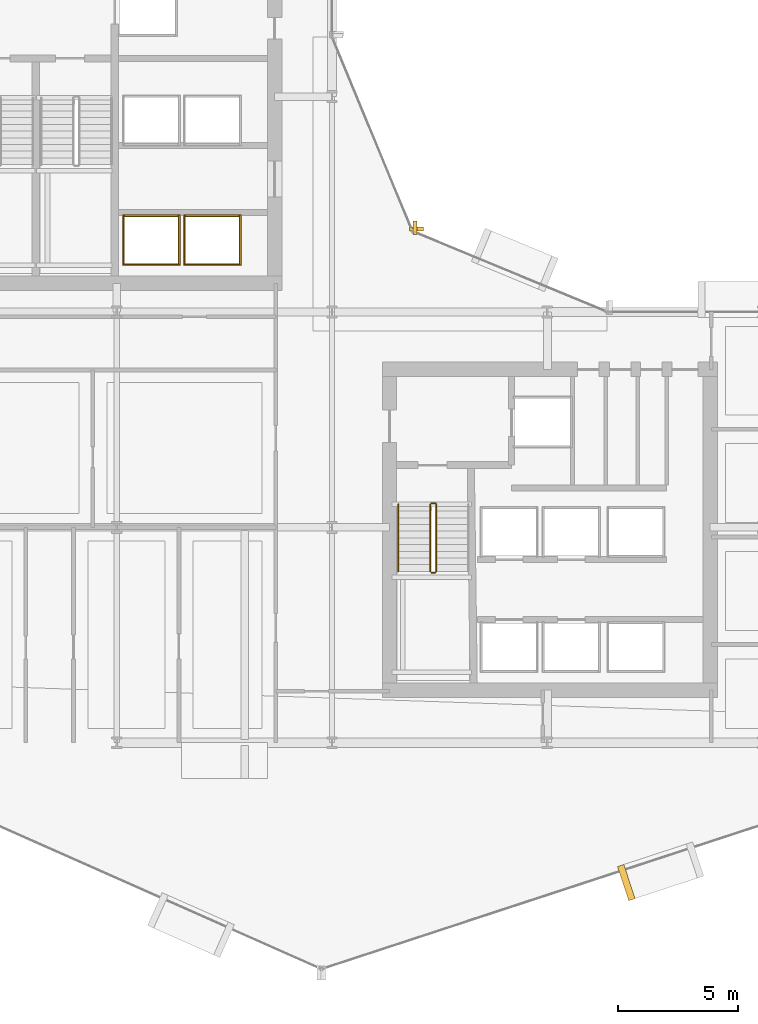
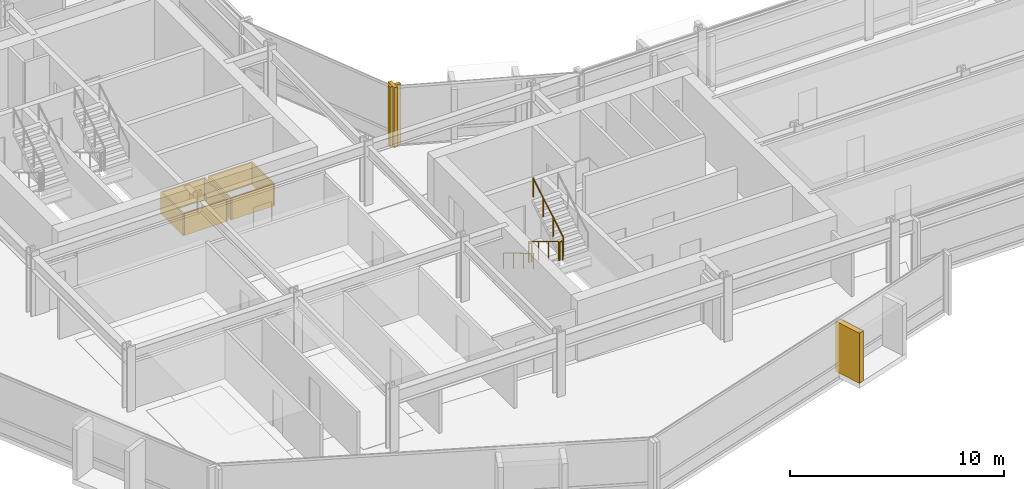
# One storey, part 31 of 34: 11 coverings, 5 railings.
"""IFC4 building model written with IfcOpenShell, lengths in metres."""

from ifc_helpers import new_model, si_unit, direction, frame, origin, origin_2d, place, context, subcontext, project, spatial, rectangle, circle, extrude, material, layer, layer_set, type_object, element, save


model = new_model("IFC4")

# Units and contexts
model_context = context("Model", 3, precision=1e-05, world=origin(), true_north=direction((0.0, 1.0)))
body_context = subcontext(model_context, "Body", "Model", "MODEL_VIEW")
ifc_project = project(units=[si_unit("LENGTHUNIT", "METRE"), si_unit("AREAUNIT", "SQUARE_METRE"), si_unit("VOLUMEUNIT", "CUBIC_METRE"), si_unit("PLANEANGLEUNIT", "RADIAN"), si_unit("MASSUNIT", "GRAM", prefix="KILO")], contexts=[model_context])

# Site, building, storey
site_placement = place(None, origin())
site = spatial("IfcSite", under=ifc_project, at=site_placement, CompositionType="ELEMENT")
building_placement = place(site_placement, origin())
building = spatial("IfcBuilding", under=site, at=building_placement, Name="Solvaryn Broadcast Tower", CompositionType="ELEMENT")
storey_placement = place(building_placement, frame((0.0, 0.0, 54.5)))
storey = spatial("IfcBuildingStorey", under=building, at=storey_placement, Name="L12", CompositionType="ELEMENT", Elevation=54.5)

# Coverings
ifc_material_1 = material(Name="Fire-Rated Gypsum Shaftwall Liner", Category="concrete")
ifc_layer_1 = layer(ifc_material_1, 0.080078125)
ifc_layer_set_1 = layer_set([ifc_layer_1], Name="CV-SHAFT-LINER")
covering_type_1 = type_object("IfcCoveringType", Name="CV-SHAFT-LINER", PredefinedType="CLADDING", material=ifc_layer_set_1)
for number, where, z_axis, x_axis, name in (
    (1, (19.449951171875, 31.014892578125, 0.0), (0.0, 0.0, 1.0), (1.0, 0.0, 0.0), "L12 PH1 Hoistway Shaft Liner North"),
    (2, (19.449951171875, 28.985107421875, 0.0), (0.0, 0.0, 1.0), (1.0, 0.0, 0.0), "L12 PH1 Hoistway Shaft Liner South"),
):
    element("IfcCovering", number, at=place(storey_placement, frame(where, z_axis=z_axis, x_axis=x_axis)), inside=storey, type_object=covering_type_1, Name=name, PredefinedType="CLADDING", context=body_context, shape_type="SweptSolid", body=[
        extrude(rectangle(XDim=2.409912109375, YDim=0.080078125, at=origin_2d()), origin(), (0.0, 0.0, 1.0), 1.25),
    ])
for number, where, z_axis, x_axis, name in (
    (3, (20.614990234375, 30.0, 0.0), (0.0, 0.0, 1.0), (1.0, 0.0, 0.0), "L12 PH1 Hoistway Shaft Liner East"),
    (4, (18.284912109375, 30.0, 0.0), (0.0, 0.0, 1.0), (1.0, 0.0, 0.0), "L12 PH1 Hoistway Shaft Liner West"),
):
    element("IfcCovering", number, at=place(storey_placement, frame(where, z_axis=z_axis, x_axis=x_axis)), inside=storey, type_object=covering_type_1, Name=name, PredefinedType="CLADDING", context=body_context, shape_type="SweptSolid", body=[
        extrude(rectangle(XDim=0.080078125, YDim=2.110107421875, at=origin_2d()), origin(), (0.0, 0.0, 1.0), 1.25),
    ])
for number, where, z_axis, x_axis, name in (
    (5, (22.0, 31.014892578125, 0.0), (0.0, 0.0, 1.0), (1.0, 0.0, 0.0), "L12 PH2 Hoistway Shaft Liner North"),
    (6, (22.0, 28.985107421875, 0.0), (0.0, 0.0, 1.0), (1.0, 0.0, 0.0), "L12 PH2 Hoistway Shaft Liner South"),
):
    element("IfcCovering", number, at=place(storey_placement, frame(where, z_axis=z_axis, x_axis=x_axis)), inside=storey, type_object=covering_type_1, Name=name, PredefinedType="CLADDING", context=body_context, shape_type="SweptSolid", body=[
        extrude(rectangle(XDim=2.409912109375, YDim=0.080078125, at=origin_2d()), origin(), (0.0, 0.0, 1.0), 1.25),
    ])
for number, where, z_axis, x_axis, name in (
    (7, (23.1650390625, 30.0, 0.0), (0.0, 0.0, 1.0), (1.0, 0.0, 0.0), "L12 PH2 Hoistway Shaft Liner East"),
    (8, (20.8349609375, 30.0, 0.0), (0.0, 0.0, 1.0), (1.0, 0.0, 0.0), "L12 PH2 Hoistway Shaft Liner West"),
):
    element("IfcCovering", number, at=place(storey_placement, frame(where, z_axis=z_axis, x_axis=x_axis)), inside=storey, type_object=covering_type_1, Name=name, PredefinedType="CLADDING", context=body_context, shape_type="SweptSolid", body=[
        extrude(rectangle(XDim=0.080078125, YDim=2.110107421875, at=origin_2d()), origin(), (0.0, 0.0, 1.0), 1.25),
    ])
ifc_material_2 = material(Name="Glazed Architectural Terracotta Rainscreen Cladding", Category="masonry")
ifc_layer_2 = layer(ifc_material_2, 0.280029296875)
ifc_layer_set_2 = layer_set([ifc_layer_2], Name="CV-TC-CLAD")
covering_type_2 = type_object("IfcCoveringType", Name="CV-TC-CLAD", PredefinedType="CLADDING", material=ifc_layer_set_2)
covering_1_placement = place(storey_placement, frame((39.298095703125, 3.155517578125, 0.27978515625), z_axis=(0.0, 0.0, 1.0), x_axis=(0.950189870912, 0.311671636848, 0.0)))
element("IfcCovering", 9, at=covering_1_placement, inside=storey, type_object=covering_type_2, Name="L12 Projecting Stone Window Box Cheek 4-1", PredefinedType="CLADDING", context=body_context, shape_type="SweptSolid", body=[
    extrude(rectangle(XDim=0.280029296875, YDim=1.5, at=origin_2d()), origin(), (0.0, 0.0, 1.0), 2.860107421875),
])
ifc_material_3 = material(Name="Extruded Architectural Terracotta Fin", Category="masonry")
ifc_layer_3 = layer(ifc_material_3, 0.179931640625)
ifc_layer_set_3 = layer_set([ifc_layer_3], Name="CV-TC-FIN")
covering_type_3 = type_object("IfcCoveringType", Name="CV-TC-FIN", PredefinedType="USERDEFINED", material=ifc_layer_set_3)
covering_2_placement = place(storey_placement, frame((30.464599609375, 30.52294921875, 0.0), z_axis=(0.0, 0.0, 1.0), x_axis=(1.0, 0.0, 0.0)))
element("IfcCovering", 10, at=covering_2_placement, inside=storey, type_object=covering_type_3, Name="L12 Terracotta Vertical Fin FIN-L12-CN1-M01", ObjectType="FIN", PredefinedType="USERDEFINED", context=body_context, shape_type="SweptSolid", body=[
    extrude(rectangle(XDim=0.179931640625, YDim=0.580078125, at=origin_2d()), origin(), (0.0, 0.0, 1.0), 3.419921875),
])
covering_3_placement = place(storey_placement, frame((30.52294921875, 30.464599609375, 0.0), z_axis=(0.0, 0.0, 1.0), x_axis=(1.0, 0.0, 0.0)))
element("IfcCovering", 11, at=covering_3_placement, inside=storey, type_object=covering_type_3, Name="L12 Terracotta Vertical Fin FIN-L12-CN2-M00", ObjectType="FIN", PredefinedType="USERDEFINED", context=body_context, shape_type="SweptSolid", body=[
    extrude(rectangle(XDim=0.580078125, YDim=0.179931640625, at=origin_2d()), origin(), (0.0, 0.0, 1.0), 3.419921875),
])

# Railings
ifc_material_4 = material(Name="Painted Steel Stair Well Guard", Category="steel")
railing_type_1 = type_object("IfcRailingType", Name="RL-STAIR-GUARD", PredefinedType="BALUSTRADE", material=ifc_material_4)
railing_1_placement = place(storey_placement, frame((31.110107421875, 18.9599609375, 0.168212890625)))
element("IfcRailing", 12, at=railing_1_placement, inside=storey, type_object=railing_type_1, Name="L12 ST3 stair guard 1", PredefinedType="BALUSTRADE", context=body_context, shape_type="SweptSolid", body=[
    extrude(circle(Radius=0.02392578125, at=origin_2d()), frame((0.0, 0.0, 1.076171875), z_axis=(0.0, -0.857242210791, 0.514913383045), x_axis=(1.0, 0.0, 0.0)), (0.0, 0.0, 1.0), 3.266357421875),
    extrude(circle(Radius=0.02099609375, at=origin_2d()), origin(), (0.0, 0.0, 1.0), 1.052001953125),
    extrude(circle(Radius=0.02099609375, at=origin_2d()), frame((0.0, -0.933349609375, 0.560546875)), (0.0, 0.0, 1.0), 1.052001953125),
    extrude(circle(Radius=0.02099609375, at=origin_2d()), frame((0.0, -1.86669921875, 1.121337890625)), (0.0, 0.0, 1.0), 1.052001953125),
    extrude(circle(Radius=0.02099609375, at=origin_2d()), frame((0.0, -2.800048828125, 1.681884765625)), (0.0, 0.0, 1.0), 1.052001953125),
])
railing_2_placement = place(storey_placement, frame((31.159912109375, 16.110107421875, 1.85009765625)))
element("IfcRailing", 13, at=railing_2_placement, inside=storey, type_object=railing_type_1, Name="L12 ST3 stair guard 2", PredefinedType="BALUSTRADE", context=body_context, shape_type="SweptSolid", body=[
    extrude(circle(Radius=0.02392578125, at=origin_2d()), frame((0.0, 0.0, 1.076171875), z_axis=(1.0, 0.0, 0.0), x_axis=(0.0, 1.0, 0.0)), (0.0, 0.0, 1.0), 0.150146484375),
    extrude(circle(Radius=0.02099609375, at=origin_2d()), origin(), (0.0, 0.0, 1.0), 1.052001953125),
    extrude(circle(Radius=0.02099609375, at=origin_2d()), frame((0.150146484375, 0.0, 0.0)), (0.0, 0.0, 1.0), 1.052001953125),
])
railing_3_placement = place(storey_placement, frame((31.360107421875, 16.159912109375, 2.01806640625)))
element("IfcRailing", 14, at=railing_3_placement, inside=storey, type_object=railing_type_1, Name="L12 ST3 stair guard 3", PredefinedType="BALUSTRADE", context=body_context, shape_type="SweptSolid", body=[
    extrude(circle(Radius=0.02392578125, at=origin_2d()), frame((0.0, 0.0, 1.076171875), z_axis=(0.0, 0.857242210791, 0.514913383045), x_axis=(-1.0, 0.0, 0.0)), (0.0, 0.0, 1.0), 3.266357421875),
    extrude(circle(Radius=0.02099609375, at=origin_2d()), origin(), (0.0, 0.0, 1.0), 1.052001953125),
    extrude(circle(Radius=0.02099609375, at=origin_2d()), frame((0.0, 0.933349609375, 0.560546875)), (0.0, 0.0, 1.0), 1.052001953125),
    extrude(circle(Radius=0.02099609375, at=origin_2d()), frame((0.0, 1.86669921875, 1.121337890625)), (0.0, 0.0, 1.0), 1.052001953125),
    extrude(circle(Radius=0.02099609375, at=origin_2d()), frame((0.0, 2.800048828125, 1.681884765625)), (0.0, 0.0, 1.0), 1.052001953125),
])
railing_4_placement = place(storey_placement, frame((31.159912109375, 19.010009765625, 0.0)))
element("IfcRailing", 15, at=railing_4_placement, inside=storey, type_object=railing_type_1, Name="L12 ST3 stair guard 4", PredefinedType="BALUSTRADE", context=body_context, shape_type="SweptSolid", body=[
    extrude(circle(Radius=0.02392578125, at=origin_2d()), frame((0.0, 0.0, 1.076171875), z_axis=(1.0, 0.0, 0.0), x_axis=(0.0, 1.0, 0.0)), (0.0, 0.0, 1.0), 0.150146484375),
    extrude(circle(Radius=0.02099609375, at=origin_2d()), origin(), (0.0, 0.0, 1.0), 1.052001953125),
    extrude(circle(Radius=0.02099609375, at=origin_2d()), frame((0.150146484375, 0.0, 0.0)), (0.0, 0.0, 1.0), 1.052001953125),
])
ifc_material_5 = material(Name="Brushed Stainless Steel Tubular Handrail", Category="steel")
railing_type_2 = type_object("IfcRailingType", Name="RL-STAIR-HANDRAIL", PredefinedType="HANDRAIL", material=ifc_material_5)
railing_5_placement = place(storey_placement, frame((29.77001953125, 18.9599609375, 0.168212890625)))
element("IfcRailing", 16, at=railing_5_placement, inside=storey, type_object=railing_type_2, Name="L12 ST3 stair handrail 1", PredefinedType="HANDRAIL", context=body_context, shape_type="SweptSolid", body=[
    extrude(circle(Radius=0.02392578125, at=origin_2d()), frame((0.0, 0.0, 0.8759765625), z_axis=(0.0, -0.857242210791, 0.514913383045), x_axis=(1.0, 0.0, 0.0)), (0.0, 0.0, 1.0), 3.266357421875),
    extrude(circle(Radius=0.02099609375, at=origin_2d()), origin(), (0.0, 0.0, 1.0), 0.851806640625),
    extrude(circle(Radius=0.02099609375, at=origin_2d()), frame((0.0, -0.933349609375, 0.560546875)), (0.0, 0.0, 1.0), 0.851806640625),
    extrude(circle(Radius=0.02099609375, at=origin_2d()), frame((0.0, -1.86669921875, 1.121337890625)), (0.0, 0.0, 1.0), 0.851806640625),
    extrude(circle(Radius=0.02099609375, at=origin_2d()), frame((0.0, -2.800048828125, 1.681884765625)), (0.0, 0.0, 1.0), 0.851806640625),
])

save(model, "model.ifc")
